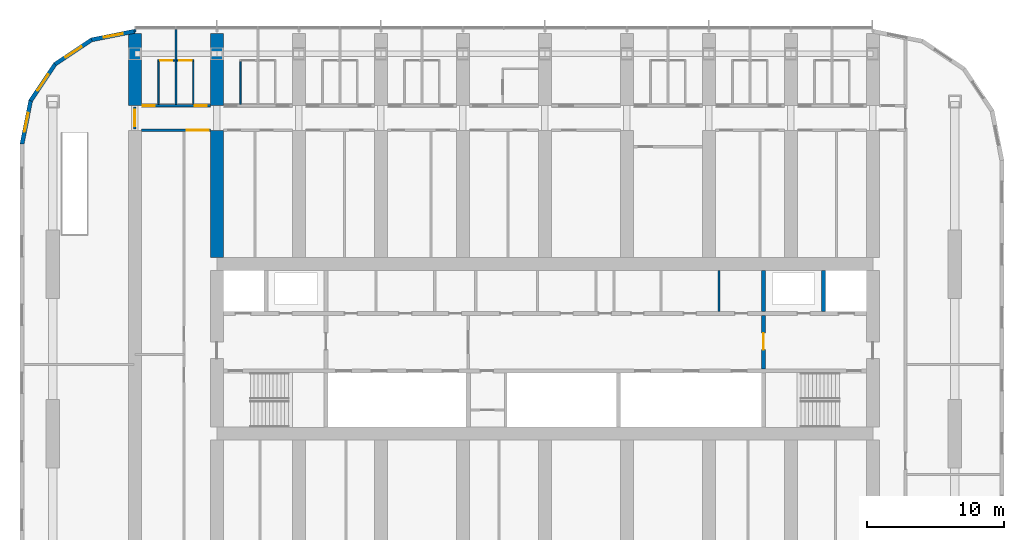
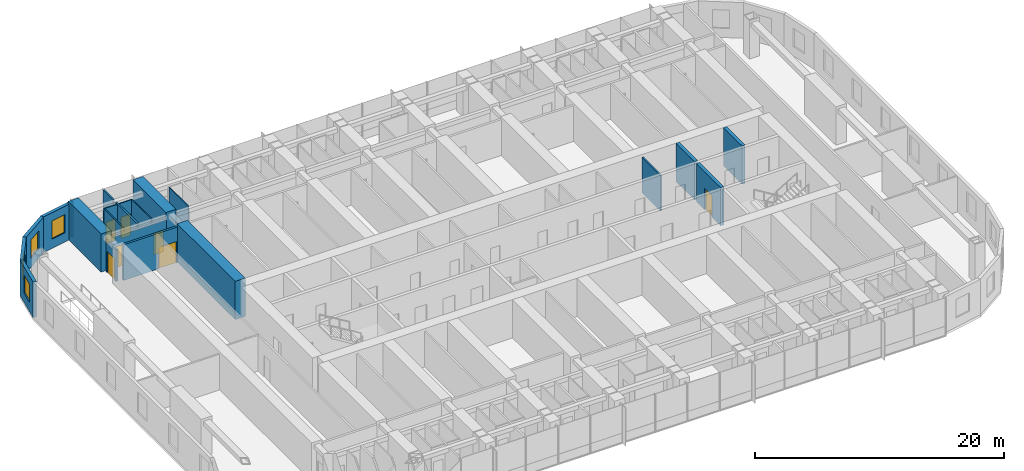
# One storey, part 13 of 22: 21 walls, 7 doors, 4 windows, 11 openings.
"""IFC4 building model written with IfcOpenShell, lengths in metres."""

from ifc_helpers import new_model, si_unit, direction, frame, frame_2d, origin, place, context, subcontext, project, spatial, polyline, rectangle, outline, extrude, material, layer, layer_set, type_object, element, fill, save


model = new_model("IFC4")

# Units and contexts
model_context = context("Model", 3, precision=1e-05, world=origin(), true_north=direction((0.0, 1.0)))
body_context = subcontext(model_context, "Body", "Model", "MODEL_VIEW")
ifc_project = project(units=[si_unit("LENGTHUNIT", "METRE"), si_unit("AREAUNIT", "SQUARE_METRE"), si_unit("VOLUMEUNIT", "CUBIC_METRE"), si_unit("PLANEANGLEUNIT", "RADIAN"), si_unit("MASSUNIT", "GRAM", prefix="KILO")], contexts=[model_context])

# Site, building, storey
site_placement = place(None, origin())
site = spatial("IfcSite", under=ifc_project, at=site_placement, CompositionType="ELEMENT")
building_placement = place(site_placement, origin())
building = spatial("IfcBuilding", under=site, at=building_placement, Name="Orbita Commons", CompositionType="ELEMENT")
storey_placement = place(building_placement, frame((0.0, 0.0, 118.14990234375)))
storey = spatial("IfcBuildingStorey", under=building, at=storey_placement, Name="L29", CompositionType="ELEMENT", Elevation=118.14990234375)

# Wall, opening, door
ifc_material_1 = material(Name="Concrete C50/60", Category="concrete")
ifc_layer_1 = layer(ifc_material_1, 0.300048828125)
ifc_layer_set_1 = layer_set([ifc_layer_1], Name="Concrete C50/60")
wall_type_1 = type_object("IfcWallType", Name="Core inner wall 300 C50/60", PredefinedType="SHEAR", material=ifc_layer_set_1)
wall_1_placement = place(storey_placement, frame((58.0, 30.550048828125, 0.0), z_axis=(0.0, 0.0, 1.0), x_axis=(0.0, 1.0, 0.0)))
wall_1 = element("IfcWall", 1, at=wall_1_placement, inside=storey, type_object=wall_type_1, Name="Firefighting lobby wall east L29", PredefinedType="SHEAR", context=body_context, shape_type="SweptSolid", body=[
    extrude(rectangle(XDim=3.89990234375, YDim=0.300048828125, at=frame_2d((1.949951171875, 0.0))), origin(), (0.0, 0.0, 1.0), 3.75),
])
opening_1_placement = place(wall_1_placement, frame((1.39990234375, 0.0, 0.0)))
opening_1 = element("IfcOpeningElement", 2, at=opening_1_placement, cuts=wall_1, Name="Opening D04", PredefinedType="OPENING", context=body_context, shape_type="SweptSolid", body=[
    extrude(rectangle(XDim=1.199951171875, YDim=2.10009765625, at=frame_2d((0.60009765625, 1.050048828125))), frame((0.0, 0.159912109375, 0.0), z_axis=(0.0, -1.0, 0.0), x_axis=(1.0, 0.0, 0.0)), (0.0, 0.0, 1.0), 0.320068359375),
])
ifc_material_2 = material(Name="Steel-faced fire door leaf", Category="steel")
door_type_1 = type_object("IfcDoorType", Name="Service door 20 min 1200x2100", OperationType="SINGLE_SWING_LEFT", PredefinedType="DOOR", material=ifc_material_2)
door_1_placement = place(opening_1_placement, origin())
door_1 = element("IfcDoor", 3, at=door_1_placement, inside=storey, type_object=door_type_1, Name="Lift lobby door east", OperationType="SINGLE_SWING_LEFT", OverallHeight=2.10009765625, OverallWidth=1.199951171875, PredefinedType="DOOR", context=body_context, shape_type="SweptSolid", body=[
    extrude(rectangle(XDim=1.199951171875, YDim=2.10009765625, at=frame_2d((0.60009765625, 1.050048828125))), frame((0.0, 0.02490234375, 0.0), z_axis=(0.0, -1.0, 0.0), x_axis=(1.0, 0.0, 0.0)), (0.0, 0.0, 1.0), 0.050048828125),
])
fill(opening_1, door_1)

# Walls
for number, where, z_axis, x_axis, name in (
    (4, (62.39990234375, 34.75, 0.0), (0.0, 0.0, 1.0), (0.0, 1.0, 0.0), "Firefighting lift FL2 shaft wall L29"),
    (5, (58.0, 34.75, 0.0), (0.0, 0.0, 1.0), (0.0, 1.0, 0.0), "Riser wall east L29"),
):
    element("IfcWall", number, at=place(storey_placement, frame(where, z_axis=z_axis, x_axis=x_axis)), inside=storey, type_object=wall_type_1, Name=name, PredefinedType="SHEAR", context=body_context, shape_type="SweptSolid", body=[
        extrude(rectangle(XDim=2.97509765625, YDim=0.300048828125, at=frame_2d((1.487548828125, 0.0))), origin(), (0.0, 0.0, 1.0), 3.75),
    ])
ifc_material_3 = material(Name="Concrete blockwork", Category="masonry")
ifc_layer_2 = layer(ifc_material_3, 0.14990234375)
ifc_layer_set_2 = layer_set([ifc_layer_2], Name="Concrete blockwork")
wall_type_2 = type_object("IfcWallType", Name="Core partition 150 blockwork", PredefinedType="SOLIDWALL", material=ifc_layer_set_2)
wall_2_placement = place(storey_placement, frame((54.758056640625, 34.75, 0.0), z_axis=(0.0, 0.0, 1.0), x_axis=(0.0, 1.0, 0.0)))
element("IfcWall", 6, at=wall_2_placement, inside=storey, type_object=wall_type_2, Name="Core partition 150 blockwork L29", PredefinedType="SOLIDWALL", context=body_context, shape_type="SweptSolid", body=[
    extrude(rectangle(XDim=2.97509765625, YDim=0.14990234375, at=frame_2d((1.487548828125, 0.0))), origin(), (0.0, 0.0, 1.0), 3.5),
])

# Wall, openings, doors
ifc_material_4 = material(Name="Concrete blockwork", Category="masonry")
ifc_layer_3 = layer(ifc_material_4, 0.199951171875)
ifc_layer_set_3 = layer_set([ifc_layer_3], Name="Concrete blockwork")
wall_type_3 = type_object("IfcWallType", Name="Corridor wall 200 blockwork", PredefinedType="SOLIDWALL", material=ifc_layer_set_3)
wall_3_placement = place(storey_placement, frame((12.47509765625, 49.800048828125, 0.0), z_axis=(0.0, 0.0, 1.0), x_axis=(1.0, 0.0, 0.0)))
wall_3 = element("IfcWall", 7, at=wall_3_placement, inside=storey, type_object=wall_type_3, Name="Corridor wall 200 blockwork L29", PredefinedType="SOLIDWALL", context=body_context, shape_type="SweptSolid", body=[
    extrude(outline(polyline([(0.0, 0.0), (5.0498046875, 0.0), (5.050048828125, 3.10009765625), (0.0, 3.10009765625), (0.0, 0.0)])), frame((0.0, 0.10009765625, 0.0), z_axis=(0.0, -1.0, 0.0), x_axis=(1.0, 0.0, 0.0)), (0.0, 0.0, 1.0), 0.199951171875),
])
opening_2_placement = place(wall_3_placement, frame((0.10009765625, 0.0, 0.0)))
opening_2 = element("IfcOpeningElement", 8, at=opening_2_placement, cuts=wall_3, Name="Opening D11", PredefinedType="OPENING", context=body_context, shape_type="SweptSolid", body=[
    extrude(rectangle(XDim=0.89990234375, YDim=2.10009765625, at=frame_2d((0.449951171875, 1.050048828125))), frame((0.0, 0.10986328125, 0.0), z_axis=(0.0, -1.0, 0.0), x_axis=(1.0, 0.0, 0.0)), (0.0, 0.0, 1.0), 0.219970703125),
])
opening_3_placement = place(wall_3_placement, frame((3.89990234375, 0.0, 0.0)))
opening_3 = element("IfcOpeningElement", 9, at=opening_3_placement, cuts=wall_3, Name="Opening D11", PredefinedType="OPENING", context=body_context, shape_type="SweptSolid", body=[
    extrude(rectangle(XDim=0.89990234375, YDim=2.10009765625, at=frame_2d((0.449951171875, 1.050048828125))), frame((0.0, 0.10986328125, 0.0), z_axis=(0.0, -1.0, 0.0), x_axis=(1.0, 0.0, 0.0)), (0.0, 0.0, 1.0), 0.219970703125),
])
ifc_material_5 = material(Name="Steel-faced fire door leaf", Category="steel")
door_type_2 = type_object("IfcDoorType", Name="Corridor door 20 min 900x2100", OperationType="SINGLE_SWING_LEFT", PredefinedType="DOOR", material=ifc_material_5)
door_2_placement = place(opening_2_placement, origin())
door_2 = element("IfcDoor", 10, at=door_2_placement, inside=storey, type_object=door_type_2, Name="Cluster bedroom L29-N00 door", OperationType="SINGLE_SWING_LEFT", OverallHeight=2.10009765625, OverallWidth=0.89990234375, PredefinedType="DOOR", context=body_context, shape_type="SweptSolid", body=[
    extrude(rectangle(XDim=0.89990234375, YDim=2.10009765625, at=frame_2d((0.449951171875, 1.050048828125))), frame((0.0, 0.02490234375, 0.0), z_axis=(0.0, -1.0, 0.0), x_axis=(1.0, 0.0, 0.0)), (0.0, 0.0, 1.0), 0.050048828125),
])
fill(opening_2, door_2)
door_3_placement = place(opening_3_placement, origin())
door_3 = element("IfcDoor", 11, at=door_3_placement, inside=storey, type_object=door_type_2, Name="Cluster bedroom L29-N01 door", OperationType="SINGLE_SWING_LEFT", OverallHeight=2.10009765625, OverallWidth=0.89990234375, PredefinedType="DOOR", context=body_context, shape_type="SweptSolid", body=[
    extrude(rectangle(XDim=0.89990234375, YDim=2.10009765625, at=frame_2d((0.449951171875, 1.050048828125))), frame((0.0, 0.02490234375, 0.0), z_axis=(0.0, -1.0, 0.0), x_axis=(1.0, 0.0, 0.0)), (0.0, 0.0, 1.0), 0.050048828125),
])
fill(opening_3, door_3)

# Wall, opening, door
wall_4_placement = place(storey_placement, frame((12.0, 48.10009765625, 0.0), z_axis=(0.0, 0.0, 1.0), x_axis=(0.0, 1.0, 0.0)))
wall_4 = element("IfcWall", 12, at=wall_4_placement, inside=storey, type_object=wall_type_3, Name="Corridor wall 200 blockwork L29", PredefinedType="SOLIDWALL", context=body_context, shape_type="SweptSolid", body=[
    extrude(outline(polyline([(0.0, 0.0), (1.599853515625, 0.0), (1.60009765625, 3.10009765625), (0.0, 3.10009765625), (0.0, 0.0)])), frame((0.0, 0.10009765625, 0.0), z_axis=(0.0, -1.0, 0.0), x_axis=(1.0, 0.0, 0.0)), (0.0, 0.0, 1.0), 0.199951171875),
])
opening_4_placement = place(wall_4_placement, frame((0.199951171875, 0.0, 0.0)))
opening_4 = element("IfcOpeningElement", 13, at=opening_4_placement, cuts=wall_4, Name="Opening D12", PredefinedType="OPENING", context=body_context, shape_type="SweptSolid", body=[
    extrude(rectangle(XDim=1.199951171875, YDim=2.10009765625, at=frame_2d((0.60009765625, 1.050048828125))), frame((0.0, 0.10986328125, 0.0), z_axis=(0.0, -1.0, 0.0), x_axis=(1.0, 0.0, 0.0)), (0.0, 0.0, 1.0), 0.219970703125),
])
ifc_material_6 = material(Name="Steel-faced fire door leaf", Category="steel")
door_type_3 = type_object("IfcDoorType", Name="Double corridor door 20 min 1200x2100", OperationType="DOUBLE_DOOR_SINGLE_SWING", PredefinedType="DOOR", material=ifc_material_6)
door_4_placement = place(opening_4_placement, origin())
door_4 = element("IfcDoor", 14, at=door_4_placement, inside=storey, type_object=door_type_3, Name="Lounge doors", OperationType="DOUBLE_DOOR_SINGLE_SWING", OverallHeight=2.10009765625, OverallWidth=1.199951171875, PredefinedType="DOOR", context=body_context, shape_type="SweptSolid", body=[
    extrude(rectangle(XDim=1.199951171875, YDim=2.10009765625, at=frame_2d((0.60009765625, 1.050048828125))), frame((0.0, 0.02490234375, 0.0), z_axis=(0.0, -1.0, 0.0), x_axis=(1.0, 0.0, 0.0)), (0.0, 0.0, 1.0), 0.050048828125),
])
fill(opening_4, door_4)

ifc_material_7 = material(Name="Hollow concrete block 200", Category="concrete")
ifc_layer_4 = layer(ifc_material_7, 0.199951171875)
ifc_layer_set_4 = layer_set([ifc_layer_4], Name="Hollow concrete block 200")
wall_type_4 = type_object("IfcWallType", Name="Corridor wall 200 hollow concrete block", PredefinedType="SOLIDWALL", material=ifc_layer_set_4)
wall_5_placement = place(storey_placement, frame((12.47509765625, 48.0, 0.0), z_axis=(0.0, 0.0, 1.0), x_axis=(1.0, 0.0, 0.0)))
wall_5 = element("IfcWall", 15, at=wall_5_placement, inside=storey, type_object=wall_type_4, Name="Corridor wall 200 hollow concrete block L29", PredefinedType="SOLIDWALL", context=body_context, shape_type="SweptSolid", body=[
    extrude(rectangle(XDim=5.0498046875, YDim=0.199951171875, at=frame_2d((2.52490234375, 0.0))), origin(), (0.0, 0.0, 1.0), 3.5),
])
opening_5_placement = place(wall_5_placement, frame((3.324951171875, 0.0, 0.0)))
opening_5 = element("IfcOpeningElement", 16, at=opening_5_placement, cuts=wall_5, Name="Opening D10", PredefinedType="OPENING", context=body_context, shape_type="SweptSolid", body=[
    extrude(rectangle(XDim=1.60009765625, YDim=2.10009765625, at=frame_2d((0.800048828125, 1.050048828125))), frame((0.0, 0.10986328125, 0.0), z_axis=(0.0, -1.0, 0.0), x_axis=(1.0, 0.0, 0.0)), (0.0, 0.0, 1.0), 0.219970703125),
])
ifc_material_8 = material(Name="Steel-faced fire door leaf", Category="steel")
door_type_4 = type_object("IfcDoorType", Name="Double corridor door 20 min 1600x2100", OperationType="DOUBLE_DOOR_SINGLE_SWING", PredefinedType="DOOR", material=ifc_material_8)
door_5_placement = place(opening_5_placement, origin())
door_5 = element("IfcDoor", 17, at=door_5_placement, inside=storey, type_object=door_type_4, Name="Cross corridor doors", OperationType="DOUBLE_DOOR_SINGLE_SWING", OverallHeight=2.10009765625, OverallWidth=1.60009765625, PredefinedType="DOOR", context=body_context, shape_type="SweptSolid", body=[
    extrude(rectangle(XDim=1.60009765625, YDim=2.10009765625, at=frame_2d((0.800048828125, 1.050048828125))), frame((0.0, 0.02490234375, 0.0), z_axis=(0.0, -1.0, 0.0), x_axis=(1.0, 0.0, 0.0)), (0.0, 0.0, 1.0), 0.050048828125),
])
fill(opening_5, door_5)

# Walls
ifc_material_9 = material(Name="Concrete C50/60", Category="concrete")
ifc_layer_5 = layer(ifc_material_9, 0.949951171875)
ifc_layer_set_5 = layer_set([ifc_layer_5], Name="Concrete C50/60")
wall_type_5 = type_object("IfcWallType", Name="Cross wall 950 C50/60", PredefinedType="SHEAR", material=ifc_layer_set_5)
for number, where, z_axis, x_axis, name in (
    (18, (12.0, 49.800048828125, 0.0), (0.0, 0.0, 1.0), (0.0, 1.0, 0.0), "Cross wall 3 north outer L29"),
    (19, (18.0, 49.800048828125, 0.0), (0.0, 0.0, 1.0), (0.0, 1.0, 0.0), "Cross wall 4 north outer L29"),
):
    element("IfcWall", number, at=place(storey_placement, frame(where, z_axis=z_axis, x_axis=x_axis)), inside=storey, type_object=wall_type_5, Name=name, PredefinedType="SHEAR", context=body_context, shape_type="SweptSolid", body=[
        extrude(rectangle(XDim=5.300048828125, YDim=0.949951171875, at=frame_2d((2.64990234375, 0.0))), origin(), (0.0, 0.0, 1.0), 3.75),
    ])
wall_6_placement = place(storey_placement, frame((18.0, 38.675048828125, 0.0), z_axis=(0.0, 0.0, 1.0), x_axis=(0.0, 1.0, 0.0)))
element("IfcWall", 20, at=wall_6_placement, inside=storey, type_object=wall_type_5, Name="Cross wall 4 north inner L29", PredefinedType="SHEAR", context=body_context, shape_type="SweptSolid", body=[
    extrude(rectangle(XDim=9.324951171875, YDim=0.949951171875, at=frame_2d((4.66259765625, 0.0))), origin(), (0.0, 0.0, 1.0), 3.75),
])

# Wall, opening, door
ifc_material_10 = material(Name="Moisture-resistant plasterboard on steel studs", Category="steel")
ifc_layer_6 = layer(ifc_material_10, 0.10009765625)
ifc_layer_set_6 = layer_set([ifc_layer_6], Name="Moisture-resistant plasterboard on steel studs")
wall_type_6 = type_object("IfcWallType", Name="En-suite partition 100", PredefinedType="PARTITIONING", material=ifc_layer_set_6)
wall_7_placement = place(storey_placement, frame((13.675048828125, 53.10009765625, 0.0), z_axis=(0.0, 0.0, 1.0), x_axis=(1.0, 0.0, 0.0)))
wall_7 = element("IfcWall", 21, at=wall_7_placement, inside=storey, type_object=wall_type_6, Name="En-suite partition 100 L29", PredefinedType="PARTITIONING", context=body_context, shape_type="SweptSolid", body=[
    extrude(rectangle(XDim=1.25, YDim=0.10009765625, at=frame_2d((0.625, 0.0))), origin(), (0.0, 0.0, 1.0), 3.5),
])
opening_6_placement = place(wall_7_placement, frame((0.175048828125, 0.0, 0.0)))
opening_6 = element("IfcOpeningElement", 22, at=opening_6_placement, cuts=wall_7, Name="Opening D09", PredefinedType="OPENING", context=body_context, shape_type="SweptSolid", body=[
    extrude(rectangle(XDim=0.89990234375, YDim=2.10009765625, at=frame_2d((0.449951171875, 1.050048828125))), frame((0.0, 0.06005859375, 0.0), z_axis=(0.0, -1.0, 0.0), x_axis=(1.0, 0.0, 0.0)), (0.0, 0.0, 1.0), 0.1201171875),
])
ifc_material_11 = material(Name="Laminated timber door leaf", Category="wood")
door_type_5 = type_object("IfcDoorType", Name="En-suite door 900x2100", OperationType="SINGLE_SWING_RIGHT", PredefinedType="DOOR", material=ifc_material_11)
door_6_placement = place(opening_6_placement, origin())
door_6 = element("IfcDoor", 23, at=door_6_placement, inside=storey, type_object=door_type_5, Name="En-suite L29-N00 door", OperationType="SINGLE_SWING_RIGHT", OverallHeight=2.10009765625, OverallWidth=0.89990234375, PredefinedType="DOOR", context=body_context, shape_type="SweptSolid", body=[
    extrude(rectangle(XDim=0.89990234375, YDim=2.10009765625, at=frame_2d((0.449951171875, 1.050048828125))), frame((0.0, 0.02490234375, 0.0), z_axis=(0.0, -1.0, 0.0), x_axis=(1.0, 0.0, 0.0)), (0.0, 0.0, 1.0), 0.050048828125),
])
fill(opening_6, door_6)

# Wall
wall_8_placement = place(storey_placement, frame((13.72509765625, 53.050048828125, 0.0), z_axis=(0.0, 0.0, 1.0), x_axis=(0.0, -1.0, 0.0)))
element("IfcWall", 24, at=wall_8_placement, inside=storey, type_object=wall_type_6, Name="En-suite partition 100 L29", PredefinedType="PARTITIONING", context=body_context, shape_type="SweptSolid", body=[
    extrude(outline(polyline([(0.0, 0.0), (3.150146484375, 0.0), (3.14990234375, 3.10009765625), (3.10205078125, 3.10009765625), (3.10009765625, 3.5), (0.0, 3.5), (0.0, 0.0)])), frame((0.0, 0.050048828125, 0.0), z_axis=(0.0, -1.0, 0.0), x_axis=(1.0, 0.0, 0.0)), (0.0, 0.0, 1.0), 0.10009765625),
])

# Wall, opening, door
wall_9_placement = place(storey_placement, frame((15.074951171875, 53.10009765625, 0.0), z_axis=(0.0, 0.0, 1.0), x_axis=(1.0, 0.0, 0.0)))
wall_9 = element("IfcWall", 25, at=wall_9_placement, inside=storey, type_object=wall_type_6, Name="En-suite partition 100 L29", PredefinedType="PARTITIONING", context=body_context, shape_type="SweptSolid", body=[
    extrude(rectangle(XDim=1.25, YDim=0.10009765625, at=frame_2d((0.625, 0.0))), origin(), (0.0, 0.0, 1.0), 3.5),
])
opening_7_placement = place(wall_9_placement, frame((0.175048828125, 0.0, 0.0)))
opening_7 = element("IfcOpeningElement", 26, at=opening_7_placement, cuts=wall_9, Name="Opening D09", PredefinedType="OPENING", context=body_context, shape_type="SweptSolid", body=[
    extrude(rectangle(XDim=0.89990234375, YDim=2.10009765625, at=frame_2d((0.449951171875, 1.050048828125))), frame((0.0, 0.06005859375, 0.0), z_axis=(0.0, -1.0, 0.0), x_axis=(1.0, 0.0, 0.0)), (0.0, 0.0, 1.0), 0.1201171875),
])
door_7_placement = place(opening_7_placement, origin())
door_7 = element("IfcDoor", 27, at=door_7_placement, inside=storey, type_object=door_type_5, Name="En-suite L29-N01 door", OperationType="SINGLE_SWING_RIGHT", OverallHeight=2.10009765625, OverallWidth=0.89990234375, PredefinedType="DOOR", context=body_context, shape_type="SweptSolid", body=[
    extrude(rectangle(XDim=0.89990234375, YDim=2.10009765625, at=frame_2d((0.449951171875, 1.050048828125))), frame((0.0, 0.02490234375, 0.0), z_axis=(0.0, -1.0, 0.0), x_axis=(1.0, 0.0, 0.0)), (0.0, 0.0, 1.0), 0.050048828125),
])
fill(opening_7, door_7)

# Walls
for number, where, z_axis, x_axis, name in (
    (28, (16.27490234375, 53.050048828125, 0.0), (0.0, 0.0, 1.0), (0.0, -1.0, 0.0), "En-suite partition 100 L29"),
    (29, (19.72509765625, 53.050048828125, 0.0), (0.0, 0.0, 1.0), (0.0, -1.0, 0.0), "En-suite partition 100 L29"),
):
    element("IfcWall", number, at=place(storey_placement, frame(where, z_axis=z_axis, x_axis=x_axis)), inside=storey, type_object=wall_type_6, Name=name, PredefinedType="PARTITIONING", context=body_context, shape_type="SweptSolid", body=[
        extrude(outline(polyline([(0.0, 0.0), (3.150146484375, 0.0), (3.14990234375, 3.10009765625), (3.10205078125, 3.10009765625), (3.10009765625, 3.5), (0.0, 3.5), (0.0, 0.0)])), frame((0.0, 0.050048828125, 0.0), z_axis=(0.0, -1.0, 0.0), x_axis=(1.0, 0.0, 0.0)), (0.0, 0.0, 1.0), 0.10009765625),
    ])
ifc_material_12 = material(Name="Gypsum plasterboard on steel studs", Category="steel")
ifc_layer_7 = layer(ifc_material_12, 0.14990234375)
ifc_layer_set_7 = layer_set([ifc_layer_7], Name="Gypsum plasterboard on steel studs")
wall_type_7 = type_object("IfcWallType", Name="Partition 150 plasterboard", PredefinedType="PARTITIONING", material=ifc_layer_set_7)
wall_10_placement = place(storey_placement, frame((12.0, 55.199951171875, 0.0), z_axis=(0.0, 0.0, 1.0), x_axis=(0.0, 1.0, 0.0)))
element("IfcWall", 30, at=wall_10_placement, inside=storey, type_object=wall_type_7, Name="Partition 150 plasterboard L29", PredefinedType="PARTITIONING", context=body_context, shape_type="SweptSolid", body=[
    extrude(rectangle(XDim=0.219970703125, YDim=0.14990234375, at=frame_2d((0.10986328125, 0.0))), origin(), (0.0, 0.0, 1.0), 3.5),
])
ifc_material_13 = material(Name="Gypsum plasterboard on steel studs", Category="steel")
ifc_layer_8 = layer(ifc_material_13, 0.14990234375)
ifc_layer_set_8 = layer_set([ifc_layer_8], Name="Gypsum plasterboard on steel studs")
wall_type_8 = type_object("IfcWallType", Name="Party wall 150 plasterboard", PredefinedType="PARTITIONING", material=ifc_layer_set_8)
wall_11_placement = place(storey_placement, frame((15.0, 55.389892578125, 0.0), z_axis=(0.0, 0.0, 1.0), x_axis=(0.0, -1.0, 0.0)))
element("IfcWall", 31, at=wall_11_placement, inside=storey, type_object=wall_type_8, Name="Party wall 150 plasterboard L29", PredefinedType="PARTITIONING", context=body_context, shape_type="SweptSolid", body=[
    extrude(outline(polyline([(0.0, 0.0), (5.489990234375, 0.0), (5.489990234375, 3.10009765625), (5.44189453125, 3.10009765625), (5.43994140625, 3.5), (1.991943359375, 3.5), (1.989990234375, 3.10009765625), (1.592041015625, 3.10009765625), (1.590087890625, 3.5), (0.0, 3.5), (0.0, 0.0)])), frame((0.0, 0.074951171875, 0.0), z_axis=(0.0, -1.0, 0.0), x_axis=(1.0, 0.0, 0.0)), (0.0, 0.0, 1.0), 0.14990234375),
])

# Wall, opening, window
ifc_material_14 = material(Name="Precast concrete C40/50, white board-marked finish", Category="concrete")
ifc_layer_9 = layer(ifc_material_14, 0.300048828125)
ifc_layer_set_9 = layer_set([ifc_layer_9], Name="Precast concrete C40/50, white board-marked finish")
wall_type_9 = type_object("IfcWallType", Name="Precast concrete end shield 300", PredefinedType="SOLIDWALL", material=ifc_layer_set_9)
wall_12_placement = place(storey_placement, frame((12.0, 55.25, 0.0), z_axis=(0.0, 0.0, 1.0), x_axis=(-0.980787251524, -0.195080412259, 0.0)))
wall_12 = element("IfcWall", 32, at=wall_12_placement, inside=storey, type_object=wall_type_9, Name="End shield NW chord 1 L29", PredefinedType="SOLIDWALL", context=body_context, shape_type="SweptSolid", body=[
    extrude(outline(polyline([(-0.02978515625, -0.14990234375), (3.24853515625, -0.14990234375), (3.18896484375, 0.14990234375), (0.02978515625, 0.14990234375), (-0.02978515625, -0.14990234375)])), origin(), (0.0, 0.0, 1.0), 3.5),
])
opening_8_placement = place(wall_12_placement, frame((0.909423828125, 0.0, 0.89990234375)))
opening_8 = element("IfcOpeningElement", 33, at=opening_8_placement, cuts=wall_12, Name="Opening W02", PredefinedType="OPENING", context=body_context, shape_type="SweptSolid", body=[
    extrude(rectangle(XDim=1.39990234375, YDim=1.800048828125, at=frame_2d((0.699951171875, 0.89990234375))), frame((0.0, 0.159912109375, 0.0), z_axis=(0.0, -1.0, 0.0), x_axis=(1.0, 0.0, 0.0)), (0.0, 0.0, 1.0), 0.320068359375),
])
ifc_material_15 = material(Name="Aluminium frame, clear double glazing", Category="aluminium")
window_type = type_object("IfcWindowType", Name="Deep-set window 1400x1800", PartitioningType="SINGLE_PANEL", PredefinedType="WINDOW", material=ifc_material_15)
window_1_placement = place(opening_8_placement, origin())
window_1 = element("IfcWindow", 34, at=window_1_placement, inside=storey, type_object=window_type, Name="Window L29-NW0", OverallHeight=1.800048828125, OverallWidth=1.39990234375, PartitioningType="SINGLE_PANEL", PredefinedType="WINDOW", context=body_context, shape_type="SweptSolid", body=[
    extrude(rectangle(XDim=1.39990234375, YDim=1.800048828125, at=frame_2d((0.699951171875, 0.89990234375))), frame((0.0, 0.030029296875, 0.0), z_axis=(0.0, -1.0, 0.0), x_axis=(1.0, 0.0, 0.0)), (0.0, 0.0, 1.0), 0.06005859375),
])
fill(opening_8, window_1)

wall_13_placement = place(storey_placement, frame((8.843017578125, 54.6220703125, 0.0), z_axis=(0.0, 0.0, 1.0), x_axis=(-0.831443069936, -0.555609954424, 0.0)))
wall_13 = element("IfcWall", 35, at=wall_13_placement, inside=storey, type_object=wall_type_9, Name="End shield NW chord 2 L29", PredefinedType="SOLIDWALL", context=body_context, shape_type="SweptSolid", body=[
    extrude(outline(polyline([(-0.02978515625, -0.14990234375), (3.2490234375, -0.14990234375), (3.189453125, 0.14990234375), (0.02978515625, 0.14990234375), (-0.02978515625, -0.14990234375)])), origin(), (0.0, 0.0, 1.0), 3.5),
])
opening_9_placement = place(wall_13_placement, frame((0.909423828125, 0.0, 0.89990234375)))
opening_9 = element("IfcOpeningElement", 36, at=opening_9_placement, cuts=wall_13, Name="Opening W02", PredefinedType="OPENING", context=body_context, shape_type="SweptSolid", body=[
    extrude(rectangle(XDim=1.39990234375, YDim=1.800048828125, at=frame_2d((0.699951171875, 0.89990234375))), frame((0.0, 0.159912109375, 0.0), z_axis=(0.0, -1.0, 0.0), x_axis=(1.0, 0.0, 0.0)), (0.0, 0.0, 1.0), 0.320068359375),
])
window_2_placement = place(opening_9_placement, origin())
window_2 = element("IfcWindow", 37, at=window_2_placement, inside=storey, type_object=window_type, Name="Window L29-NW1", OverallHeight=1.800048828125, OverallWidth=1.39990234375, PartitioningType="SINGLE_PANEL", PredefinedType="WINDOW", context=body_context, shape_type="SweptSolid", body=[
    extrude(rectangle(XDim=1.39990234375, YDim=1.800048828125, at=frame_2d((0.699951171875, 0.89990234375))), frame((0.0, 0.030029296875, 0.0), z_axis=(0.0, -1.0, 0.0), x_axis=(1.0, 0.0, 0.0)), (0.0, 0.0, 1.0), 0.06005859375),
])
fill(opening_9, window_2)

wall_14_placement = place(storey_placement, frame((6.16650390625, 52.83349609375, 0.0), z_axis=(0.0, 0.0, 1.0), x_axis=(-0.555609954424, -0.831443069936, 0.0)))
wall_14 = element("IfcWall", 38, at=wall_14_placement, inside=storey, type_object=wall_type_9, Name="End shield NW chord 3 L29", PredefinedType="SOLIDWALL", context=body_context, shape_type="SweptSolid", body=[
    extrude(outline(polyline([(-0.02978515625, -0.14990234375), (3.2490234375, -0.14990234375), (3.189453125, 0.14990234375), (0.02978515625, 0.14990234375), (-0.02978515625, -0.14990234375)])), origin(), (0.0, 0.0, 1.0), 3.5),
])
opening_10_placement = place(wall_14_placement, frame((0.909423828125, 0.0, 0.89990234375)))
opening_10 = element("IfcOpeningElement", 39, at=opening_10_placement, cuts=wall_14, Name="Opening W02", PredefinedType="OPENING", context=body_context, shape_type="SweptSolid", body=[
    extrude(rectangle(XDim=1.39990234375, YDim=1.800048828125, at=frame_2d((0.699951171875, 0.89990234375))), frame((0.0, 0.159912109375, 0.0), z_axis=(0.0, -1.0, 0.0), x_axis=(1.0, 0.0, 0.0)), (0.0, 0.0, 1.0), 0.320068359375),
])
window_3_placement = place(opening_10_placement, origin())
window_3 = element("IfcWindow", 40, at=window_3_placement, inside=storey, type_object=window_type, Name="Window L29-NW2", OverallHeight=1.800048828125, OverallWidth=1.39990234375, PartitioningType="SINGLE_PANEL", PredefinedType="WINDOW", context=body_context, shape_type="SweptSolid", body=[
    extrude(rectangle(XDim=1.39990234375, YDim=1.800048828125, at=frame_2d((0.699951171875, 0.89990234375))), frame((0.0, 0.030029296875, 0.0), z_axis=(0.0, -1.0, 0.0), x_axis=(1.0, 0.0, 0.0)), (0.0, 0.0, 1.0), 0.06005859375),
])
fill(opening_10, window_3)

wall_15_placement = place(storey_placement, frame((4.3779296875, 50.156982421875, 0.0), z_axis=(0.0, 0.0, 1.0), x_axis=(-0.195080412259, -0.980787251524, 0.0)))
wall_15 = element("IfcWall", 41, at=wall_15_placement, inside=storey, type_object=wall_type_9, Name="End shield NW chord 4 L29", PredefinedType="SOLIDWALL", context=body_context, shape_type="SweptSolid", body=[
    extrude(outline(polyline([(-0.02978515625, -0.14990234375), (3.233642578125, -0.14990234375), (3.203857421875, 0.14990234375), (0.02978515625, 0.14990234375), (-0.02978515625, -0.14990234375)])), origin(), (0.0, 0.0, 1.0), 3.5),
])
opening_11_placement = place(wall_15_placement, frame((0.909423828125, 0.0, 0.89990234375)))
opening_11 = element("IfcOpeningElement", 42, at=opening_11_placement, cuts=wall_15, Name="Opening W02", PredefinedType="OPENING", context=body_context, shape_type="SweptSolid", body=[
    extrude(rectangle(XDim=1.39990234375, YDim=1.800048828125, at=frame_2d((0.699951171875, 0.89990234375))), frame((0.0, 0.159912109375, 0.0), z_axis=(0.0, -1.0, 0.0), x_axis=(1.0, 0.0, 0.0)), (0.0, 0.0, 1.0), 0.320068359375),
])
window_4_placement = place(opening_11_placement, origin())
window_4 = element("IfcWindow", 43, at=window_4_placement, inside=storey, type_object=window_type, Name="Window L29-NW3", OverallHeight=1.800048828125, OverallWidth=1.39990234375, PartitioningType="SINGLE_PANEL", PredefinedType="WINDOW", context=body_context, shape_type="SweptSolid", body=[
    extrude(rectangle(XDim=1.39990234375, YDim=1.800048828125, at=frame_2d((0.699951171875, 0.89990234375))), frame((0.0, 0.030029296875, 0.0), z_axis=(0.0, -1.0, 0.0), x_axis=(1.0, 0.0, 0.0)), (0.0, 0.0, 1.0), 0.06005859375),
])
fill(opening_11, window_4)

save(model, "model.ifc")
